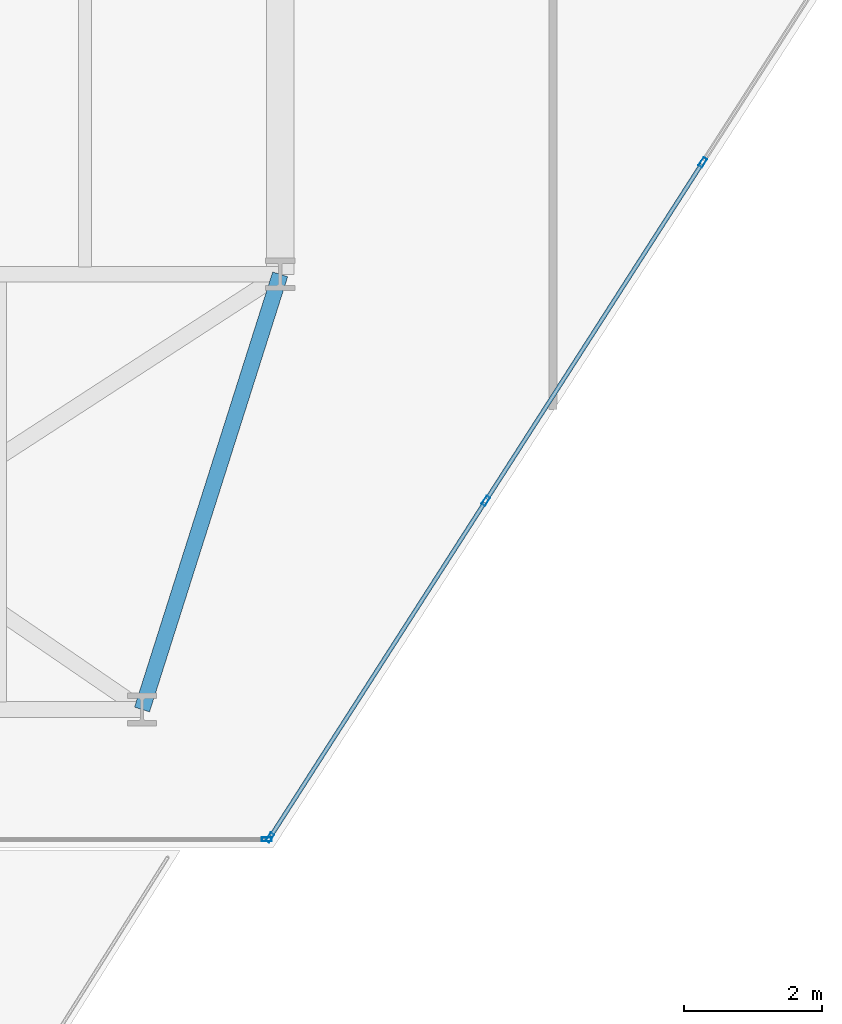
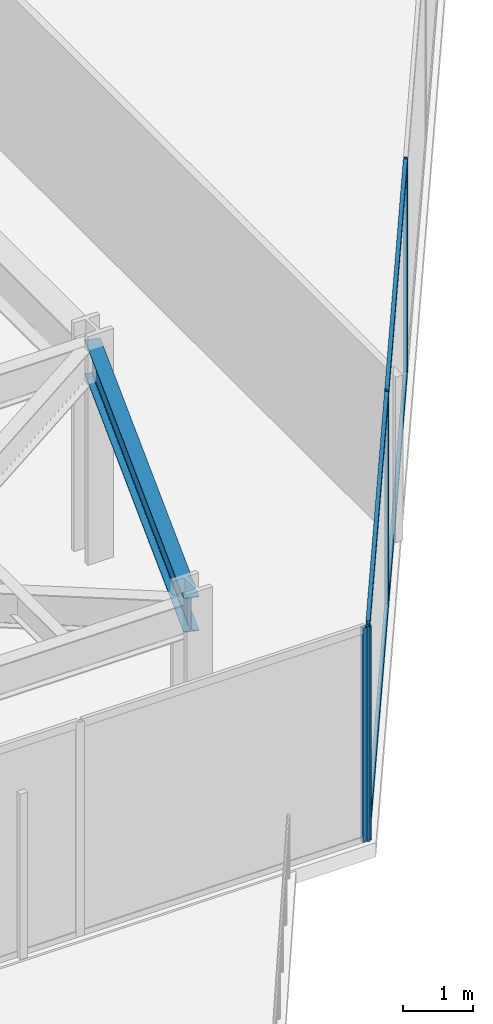
# One storey, part 4 of 24: 8 members, 1 beam, 2 elements without a shape of their own.
"""IFC4 building model written with IfcOpenShell, lengths in metres."""

from ifc_helpers import new_model, si_unit, direction, frame, origin, origin_2d, place, context, subcontext, project, spatial, hollow_rectangle, i_section, extrude, material, layer, layer_set, material_profile, profile_set, type_object, element, aggregate, save


model = new_model("IFC4")

# Units and contexts
model_context = context("Model", 3, precision=1e-05, world=origin(), true_north=direction((0.0, 1.0)))
body_context = subcontext(model_context, "Body", "Model", "MODEL_VIEW")
ifc_project = project(units=[si_unit("LENGTHUNIT", "METRE"), si_unit("AREAUNIT", "SQUARE_METRE"), si_unit("VOLUMEUNIT", "CUBIC_METRE"), si_unit("PLANEANGLEUNIT", "RADIAN"), si_unit("MASSUNIT", "GRAM", prefix="KILO")], contexts=[model_context])

# Site, building, storey
site_placement = place(None, origin())
site = spatial("IfcSite", under=ifc_project, at=site_placement, CompositionType="ELEMENT")
building_placement = place(site_placement, origin())
building = spatial("IfcBuilding", under=site, at=building_placement, Name="Kravanh Interchange Tower", CompositionType="ELEMENT")
storey_placement = place(building_placement, frame((0.0, 0.0, 96.0)))
storey = spatial("IfcBuildingStorey", under=building, at=storey_placement, Name="L22", CompositionType="ELEMENT", Elevation=96.0)

# Curtain wall, members
ifc_material_1 = material(Name="Anodised Bronze Aluminium", Category="aluminium")
ifc_layer = layer(ifc_material_1, 0.179931640625)
ifc_layer_set = layer_set([ifc_layer], Name="Unitised Curtain Wall System CW-Z2 Mid Office")
curtain_wall_type = type_object("IfcCurtainWallType", Name="Unitised Curtain Wall System CW-Z2 Mid Office", PredefinedType="NOTDEFINED", material=ifc_layer_set)
curtain_wall_1_placement = place(storey_placement, origin())
curtain_wall_1 = element("IfcCurtainWall", 1, at=curtain_wall_1_placement, inside=storey, type_object=curtain_wall_type, Name="L22 Unitised Curtain Wall CW-L22-05", PredefinedType="NOTDEFINED")
ifc_material_2 = material(Name="Anodised Bronze Aluminium", Category="aluminium")
ifc_material_profile_1 = material_profile(ifc_material_2, hollow_rectangle(XDim=0.06005859375, YDim=0.139892578125, WallThickness=0.00390625, at=origin_2d()), Name="ALU60X140X4")
ifc_profile_set_1 = profile_set([ifc_material_profile_1], Name="Anodised Bronze Aluminium")
member_type_1 = type_object("IfcMemberType", Name="Curtain Wall Mullion ALU60X140X4 Bronze", PredefinedType="MULLION", material=ifc_profile_set_1)
member_1_placement = place(storey_placement, frame((33.317138671875, 16.12109375, 0.0), z_axis=(0.0, 0.0, 1.0), x_axis=(0.841879939476, -0.539664865919, 0.0)))
member_1 = element("IfcMember", 2, at=member_1_placement, type_object=member_type_1, Name="CW-Z2 mullion 3", PredefinedType="MULLION", context=body_context, shape_type="SweptSolid", body=[
    extrude(hollow_rectangle(XDim=0.06005859375, YDim=0.139892578125, WallThickness=0.00390625, at=origin_2d()), origin(), (0.0, 0.0, 1.0), 3.75),
])
member_2_placement = place(storey_placement, frame((30.17578125, 11.220703125, 0.0), z_axis=(0.0, 0.0, 1.0), x_axis=(0.841879939476, -0.539664865919, 0.0)))
member_2 = element("IfcMember", 3, at=member_2_placement, type_object=member_type_1, Name="CW-Z2 mullion 4", PredefinedType="MULLION", context=body_context, shape_type="SweptSolid", body=[
    extrude(hollow_rectangle(XDim=0.06005859375, YDim=0.139892578125, WallThickness=0.00390625, at=origin_2d()), origin(), (0.0, 0.0, 1.0), 3.75),
])
member_3_placement = place(storey_placement, frame((27.050537109375, 6.34521484375, 0.0), z_axis=(0.0, 0.0, 1.0), x_axis=(0.841879939476, -0.539664865919, 0.0)))
member_3 = element("IfcMember", 4, at=member_3_placement, type_object=member_type_1, Name="CW-Z2 mullion 5", PredefinedType="MULLION", context=body_context, shape_type="SweptSolid", body=[
    extrude(hollow_rectangle(XDim=0.06005859375, YDim=0.139892578125, WallThickness=0.00390625, at=origin_2d()), origin(), (0.0, 0.0, 1.0), 3.75),
])

# Curtain wall, member
curtain_wall_2_placement = place(storey_placement, origin())
curtain_wall_2 = element("IfcCurtainWall", 5, at=curtain_wall_2_placement, inside=storey, type_object=curtain_wall_type, Name="L22 Unitised Curtain Wall CW-L22-06", PredefinedType="NOTDEFINED")
member_4_placement = place(storey_placement, frame((27.00439453125, 6.320068359375, 0.0), z_axis=(0.0, 0.0, 1.0), x_axis=(0.0, -1.0, 0.0)))
member_4 = element("IfcMember", 6, at=member_4_placement, type_object=member_type_1, Name="CW-Z2 mullion 1", PredefinedType="MULLION", context=body_context, shape_type="SweptSolid", body=[
    extrude(hollow_rectangle(XDim=0.06005859375, YDim=0.139892578125, WallThickness=0.00390625, at=origin_2d()), origin(), (0.0, 0.0, 1.0), 3.75),
])
aggregate(curtain_wall_2, [member_4])

# Member
ifc_material_3 = material(Name="Anodised Bronze Aluminium", Category="aluminium")
ifc_material_profile_2 = material_profile(ifc_material_3, hollow_rectangle(XDim=0.06005859375, YDim=0.139892578125, WallThickness=0.00390625, at=origin_2d()), Name="ALU60X140X4")
ifc_profile_set_2 = profile_set([ifc_material_profile_2], Name="Anodised Bronze Aluminium")
member_type_2 = type_object("IfcMemberType", Name="Curtain Wall Transom ALU60X140X4 Bronze", PredefinedType="USERDEFINED", material=ifc_profile_set_2)
member_5_placement = place(storey_placement, frame((33.301025390625, 16.095947265625, 0.030029296875), z_axis=(-0.539677666788, -0.84187173368, 0.0), x_axis=(0.84187173368, -0.539677666788, 0.0)))
member_5 = element("IfcMember", 7, at=member_5_placement, type_object=member_type_2, Name="CW-Z2 transom 3.1", ObjectType="TRANSOM", PredefinedType="USERDEFINED", context=body_context, shape_type="SweptSolid", body=[
    extrude(hollow_rectangle(XDim=0.06005859375, YDim=0.139892578125, WallThickness=0.00390625, at=origin_2d()), origin(), (0.0, 0.0, 1.0), 5.760986328125),
])

member_6_placement = place(storey_placement, frame((33.301025390625, 16.095947265625, 3.719970703125), z_axis=(-0.539677666788, -0.84187173368, 0.0), x_axis=(0.84187173368, -0.539677666788, 0.0)))
member_6 = element("IfcMember", 8, at=member_6_placement, type_object=member_type_2, Name="CW-Z2 transom 3.2", ObjectType="TRANSOM", PredefinedType="USERDEFINED", context=body_context, shape_type="SweptSolid", body=[
    extrude(hollow_rectangle(XDim=0.06005859375, YDim=0.139892578125, WallThickness=0.00390625, at=origin_2d()), origin(), (0.0, 0.0, 1.0), 5.760986328125),
])

member_7_placement = place(storey_placement, frame((30.15966796875, 11.1953125, 0.030029296875), z_axis=(-0.53966766312, -0.841878146398, 0.0), x_axis=(0.841878146398, -0.53966766312, 0.0)))
member_7 = element("IfcMember", 9, at=member_7_placement, type_object=member_type_2, Name="CW-Z2 transom 4.1", ObjectType="TRANSOM", PredefinedType="USERDEFINED", context=body_context, shape_type="SweptSolid", body=[
    extrude(hollow_rectangle(XDim=0.06005859375, YDim=0.139892578125, WallThickness=0.00390625, at=origin_2d()), origin(), (0.0, 0.0, 1.0), 5.73095703125),
])

member_8_placement = place(storey_placement, frame((30.15966796875, 11.1953125, 3.719970703125), z_axis=(-0.53966766312, -0.841878146398, 0.0), x_axis=(0.841878146398, -0.53966766312, 0.0)))
member_8 = element("IfcMember", 10, at=member_8_placement, type_object=member_type_2, Name="CW-Z2 transom 4.2", ObjectType="TRANSOM", PredefinedType="USERDEFINED", context=body_context, shape_type="SweptSolid", body=[
    extrude(hollow_rectangle(XDim=0.06005859375, YDim=0.139892578125, WallThickness=0.00390625, at=origin_2d()), origin(), (0.0, 0.0, 1.0), 5.73095703125),
])

aggregate(curtain_wall_1, [member_1, member_2, member_3, member_5, member_6, member_7, member_8])

# Beam
ifc_material_4 = material(Name="Structural Steel S355", Category="steel")
ifc_material_profile_3 = material_profile(ifc_material_4, i_section(OverallWidth=0.22802734375, OverallDepth=0.60791015625, WebThickness=0.01123046875, FlangeThickness=0.017333984375, FilletRadius=0.02197265625, at=origin_2d()), Name="W24X76")
ifc_profile_set_3 = profile_set([ifc_material_profile_3], Name="Structural Steel S355")
beam_type = type_object("IfcBeamType", Name="Floor Spandrel W24X76 Structural Steel S355", PredefinedType="SPANDREL", material=ifc_profile_set_3)
beam_placement = place(storey_placement, frame((25.199951171875, 8.199951171875, 3.446044921875), z_axis=(0.30257700201, 0.953124943465, 0.0), x_axis=(-0.953124943465, 0.30257700201, 0.0)))
element("IfcBeam", 11, at=beam_placement, inside=storey, type_object=beam_type, Name="L22 Perimeter Spandrel 76", PredefinedType="SPANDREL", context=body_context, shape_type="SweptSolid", body=[
    extrude(i_section(OverallWidth=0.22802734375, OverallDepth=0.60791015625, WebThickness=0.01123046875, FlangeThickness=0.017333984375, FilletRadius=0.02197265625, at=origin_2d()), origin(), (0.0, 0.0, 1.0), 6.60986328125),
])

save(model, "model.ifc")
